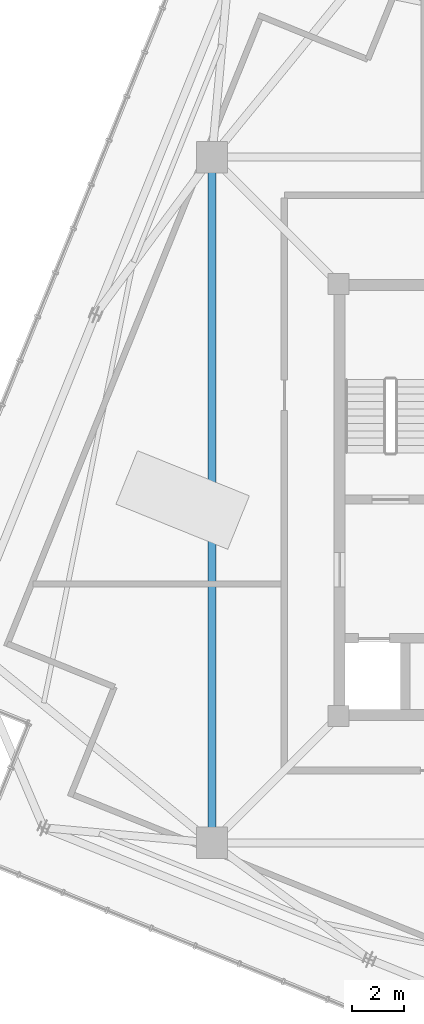
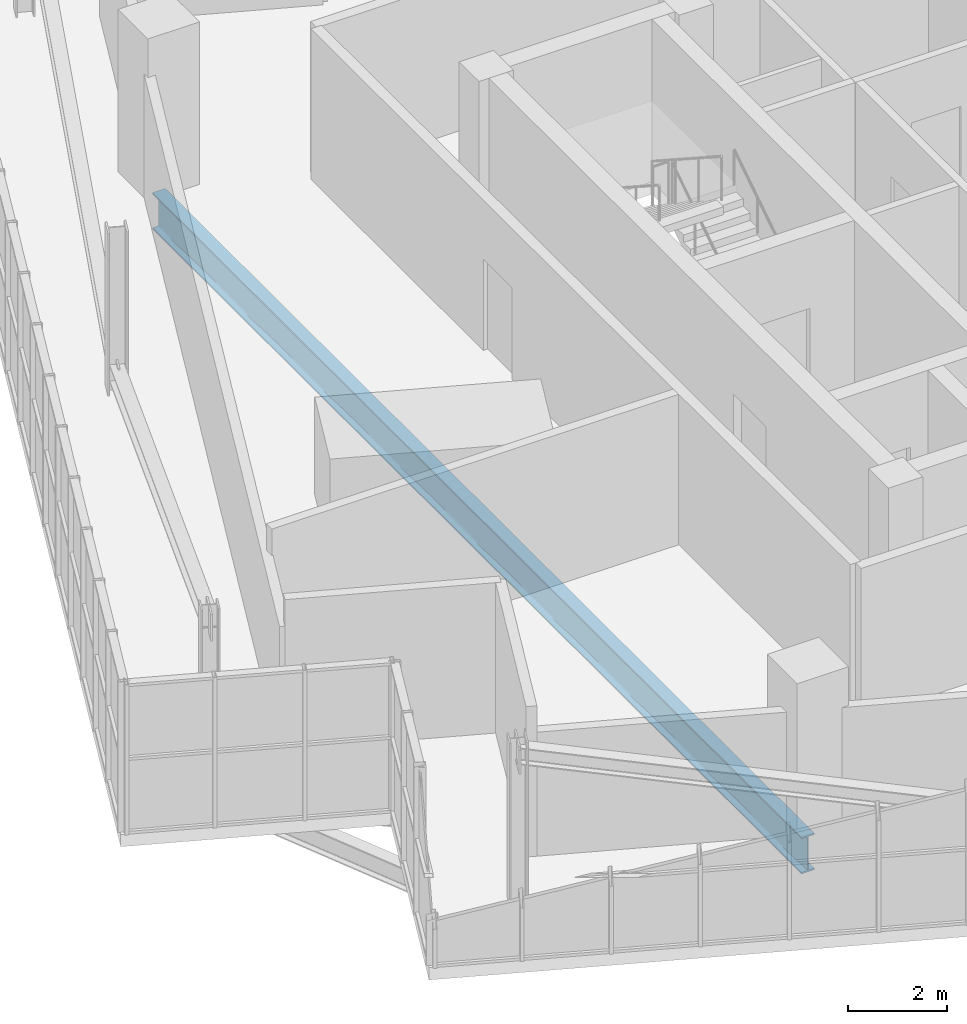
# One storey, part 7 of 26: 1 beam.
"""IFC4 building model written with IfcOpenShell, lengths in metres."""

from ifc_helpers import new_model, si_unit, direction, frame, origin, origin_2d, place, context, subcontext, project, spatial, i_section, extrude, source, transform, mapped, material, material_profile, profile_set, type_object, element, save


model = new_model("IFC4")

# Units and contexts
model_context = context("Model", 3, precision=1e-05, world=origin(), true_north=direction((0.0, 1.0)))
body_context = subcontext(model_context, "Body", "Model", "MODEL_VIEW")
ifc_project = project(units=[si_unit("LENGTHUNIT", "METRE"), si_unit("AREAUNIT", "SQUARE_METRE"), si_unit("VOLUMEUNIT", "CUBIC_METRE"), si_unit("PLANEANGLEUNIT", "RADIAN"), si_unit("MASSUNIT", "GRAM", prefix="KILO"), si_unit("THERMODYNAMICTEMPERATUREUNIT", "KELVIN")], contexts=[model_context])

# Site, building, storey
site_placement = place(None, origin())
site = spatial("IfcSite", under=ifc_project, at=site_placement, CompositionType="ELEMENT")
building_placement = place(site_placement, origin())
building = spatial("IfcBuilding", under=site, at=building_placement, Name="Kosmvard Interchange Tower", CompositionType="ELEMENT")
storey_placement = place(building_placement, frame((0.0, 0.0, 333.60009765625)))
storey = spatial("IfcBuildingStorey", under=building, at=storey_placement, Name="L82", CompositionType="ELEMENT", Elevation=333.60009765625)

# Beam
ifc_material = material(Name="Steel S355", Category="steel")
ifc_material_profile = material_profile(ifc_material, i_section(OverallWidth=0.300048828125, OverallDepth=0.89990234375, WebThickness=0.0185546875, FlangeThickness=0.034912109375, FilletRadius=0.030029296875, at=origin_2d()), Name="HEB 900")
ifc_profile_set = profile_set([ifc_material_profile], Name="Steel S355")
beam_type = type_object("IfcBeamType", Name="Mega-Column Ring Girder HEB 900 S355", PredefinedType="BEAM", material=ifc_profile_set)
shared_shape = source(origin(), body_context, "Body", "SweptSolid", [
    extrude(i_section(OverallWidth=0.300048828125, OverallDepth=0.89990234375, WebThickness=0.0185546875, FlangeThickness=0.034912109375, FilletRadius=0.030029296875, at=origin_2d()), origin(), (0.0, 0.0, 1.0), 26.162109375),
])
beam_placement = place(storey_placement, frame((-13.0810546875, 13.0810546875, -0.75), z_axis=(0.0, -1.0, 0.0), x_axis=(1.0, 0.0, 0.0)))
element("IfcBeam", 1, at=beam_placement, inside=storey, type_object=beam_type, Name="L82 Mega-Column Ring Girder 4", PredefinedType="BEAM", context=body_context, shape_type="MappedRepresentation", body=[
    mapped(shared_shape, transform((0.0, 0.0, 0.0), scale=1.0)),
])

save(model, "model.ifc")
